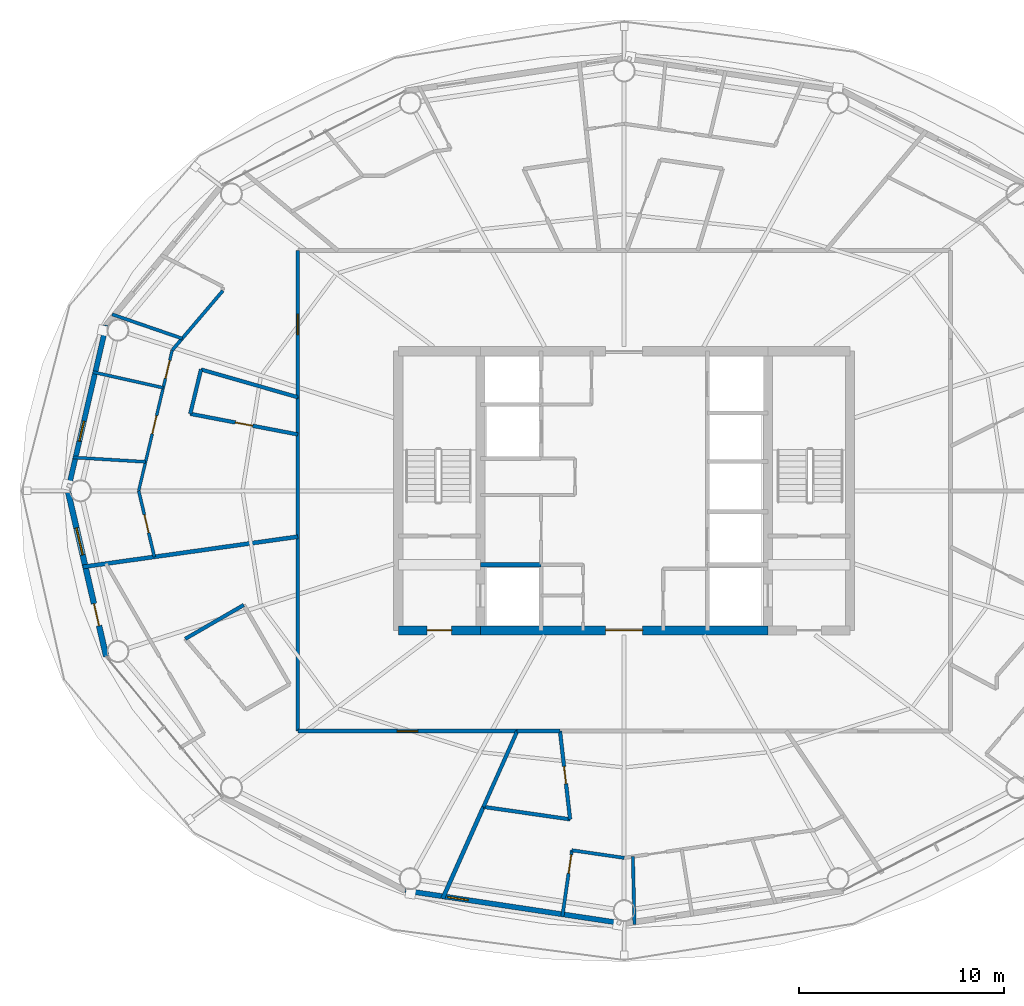
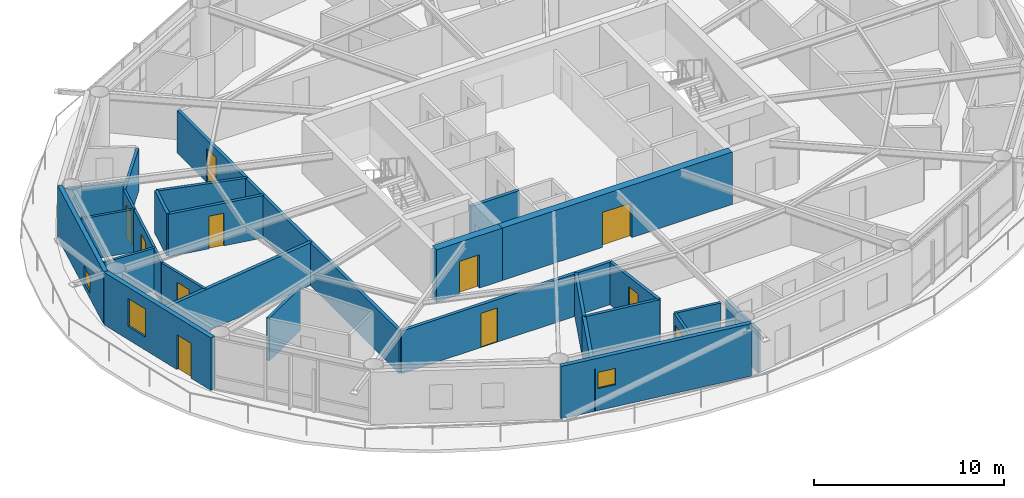
# One storey, part 21 of 29: 28 walls, 11 doors, 3 windows, 14 openings.
"""IFC4 building model written with IfcOpenShell, lengths in metres."""

from ifc_helpers import new_model, si_unit, direction, frame, frame_2d, origin, place, context, subcontext, project, spatial, rectangle, extrude, material, layer, layer_set, type_object, element, fill, save


model = new_model("IFC4")

# Units and contexts
model_context = context("Model", 3, precision=1e-05, world=origin(), true_north=direction((0.0, 1.0)))
body_context = subcontext(model_context, "Body", "Model", "MODEL_VIEW")
ifc_project = project(units=[si_unit("LENGTHUNIT", "METRE"), si_unit("AREAUNIT", "SQUARE_METRE"), si_unit("VOLUMEUNIT", "CUBIC_METRE"), si_unit("PLANEANGLEUNIT", "RADIAN"), si_unit("MASSUNIT", "GRAM", prefix="KILO")], contexts=[model_context])

# Site, building, storey
site_placement = place(None, origin())
site = spatial("IfcSite", under=ifc_project, at=site_placement, CompositionType="ELEMENT")
building_placement = place(site_placement, origin())
building = spatial("IfcBuilding", under=site, at=building_placement, Name="Sarneth Arch Tower", CompositionType="ELEMENT")
storey_placement = place(building_placement, frame((0.0, 0.0, 175.800048828125)))
storey = spatial("IfcBuildingStorey", under=building, at=storey_placement, Name="L44", CompositionType="ELEMENT", Elevation=175.800048828125)

# Wall, opening, door
ifc_material_1 = material(Name="Concrete C50/60", Category="concrete")
ifc_layer_1 = layer(ifc_material_1, 0.449951171875)
ifc_layer_set_1 = layer_set([ifc_layer_1], Name="Concrete C50/60")
wall_type_1 = type_object("IfcWallType", Name="WALL-CORE-450", PredefinedType="SHEAR", material=ifc_layer_set_1)
wall_1_placement = place(storey_placement, frame((37.0, 35.199951171875, 0.0), z_axis=(0.0, 0.0, 1.0), x_axis=(1.0, 0.0, 0.0)))
wall_1 = element("IfcWall", 1, at=wall_1_placement, inside=storey, type_object=wall_type_1, Name="L44 Core shear wall S-W", PredefinedType="SHEAR", context=body_context, shape_type="SweptSolid", body=[
    extrude(rectangle(XDim=4.0, YDim=0.449951171875, at=frame_2d((2.0, 0.0))), origin(), (0.0, 0.0, 1.0), 3.3798828125),
])
opening_1_placement = place(wall_1_placement, frame((1.39990234375, 0.0, 0.0)))
opening_1 = element("IfcOpeningElement", 2, at=opening_1_placement, cuts=wall_1, Name="Opening FD-02", PredefinedType="OPENING", context=body_context, shape_type="SweptSolid", body=[
    extrude(rectangle(XDim=1.199951171875, YDim=2.14990234375, at=frame_2d((0.60009765625, 1.074951171875))), frame((0.0, 0.23486328125, 0.0), z_axis=(0.0, -1.0, 0.0), x_axis=(1.0, 0.0, 0.0)), (0.0, 0.0, 1.0), 0.469970703125),
])
ifc_material_2 = material(Name="Galvanised Steel S275 fire door set", Category="steel")
door_type_1 = type_object("IfcDoorType", Name="DR-FD90-1200", OperationType="SINGLE_SWING_LEFT", PredefinedType="DOOR", material=ifc_material_2)
door_1_placement = place(opening_1_placement, origin())
door_1 = element("IfcDoor", 3, at=door_1_placement, inside=storey, type_object=door_type_1, Name="L44 Firefighting lobby 1 exit door", OperationType="SINGLE_SWING_LEFT", OverallHeight=2.14990234375, OverallWidth=1.199951171875, PredefinedType="DOOR", context=body_context, shape_type="SweptSolid", body=[
    extrude(rectangle(XDim=1.199951171875, YDim=2.14990234375, at=frame_2d((0.60009765625, 1.074951171875))), frame((0.0, 0.02490234375, 0.0), z_axis=(0.0, -1.0, 0.0), x_axis=(1.0, 0.0, 0.0)), (0.0, 0.0, 1.0), 0.050048828125),
])
fill(opening_1, door_1)

wall_2_placement = place(storey_placement, frame((41.0, 35.199951171875, 0.0), z_axis=(0.0, 0.0, 1.0), x_axis=(1.0, 0.0, 0.0)))
wall_2 = element("IfcWall", 4, at=wall_2_placement, inside=storey, type_object=wall_type_1, Name="L44 Core shear wall S-M", PredefinedType="SHEAR", context=body_context, shape_type="SweptSolid", body=[
    extrude(rectangle(XDim=14.0, YDim=0.449951171875, at=frame_2d((7.0, 0.0))), origin(), (0.0, 0.0, 1.0), 3.3798828125),
])
opening_2_placement = place(wall_2_placement, frame((6.10009765625, 0.0, 0.0)))
opening_2 = element("IfcOpeningElement", 5, at=opening_2_placement, cuts=wall_2, Name="Opening FD-01", PredefinedType="OPENING", context=body_context, shape_type="SweptSolid", body=[
    extrude(rectangle(XDim=1.800048828125, YDim=2.25, at=frame_2d((0.89990234375, 1.125))), frame((0.0, 0.23486328125, 0.0), z_axis=(0.0, -1.0, 0.0), x_axis=(1.0, 0.0, 0.0)), (0.0, 0.0, 1.0), 0.469970703125),
])
ifc_material_3 = material(Name="Galvanised Steel S275 fire door set", Category="steel")
door_type_2 = type_object("IfcDoorType", Name="DR-FD90-1800", OperationType="DOUBLE_DOOR_SINGLE_SWING", PredefinedType="DOOR", material=ifc_material_3)
door_2_placement = place(opening_2_placement, origin())
door_2 = element("IfcDoor", 6, at=door_2_placement, inside=storey, type_object=door_type_2, Name="L44 Central lift lobby south door", OperationType="DOUBLE_DOOR_SINGLE_SWING", OverallHeight=2.25, OverallWidth=1.800048828125, PredefinedType="DOOR", context=body_context, shape_type="SweptSolid", body=[
    extrude(rectangle(XDim=1.800048828125, YDim=2.25, at=frame_2d((0.89990234375, 1.125))), frame((0.0, 0.02490234375, 0.0), z_axis=(0.0, -1.0, 0.0), x_axis=(1.0, 0.0, 0.0)), (0.0, 0.0, 1.0), 0.050048828125),
])
fill(opening_2, door_2)

ifc_material_4 = material(Name="Double steel-stud corridor fire wall", Category="steel")
ifc_layer_2 = layer(ifc_material_4, 0.18994140625)
ifc_layer_set_2 = layer_set([ifc_layer_2], Name="Double steel-stud corridor fire wall")
wall_type_2 = type_object("IfcWallType", Name="WALL-CORR-190", PredefinedType="PARTITIONING", material=ifc_layer_set_2)
wall_3_placement = place(storey_placement, frame((32.10009765625, 30.300048828125, 0.0), z_axis=(0.0, 0.0, 1.0), x_axis=(1.0, 0.0, 0.0)))
wall_3 = element("IfcWall", 7, at=wall_3_placement, inside=storey, type_object=wall_type_2, Name="L44 Interior partition W-L44-TP-014", PredefinedType="PARTITIONING", context=body_context, shape_type="SweptSolid", body=[
    extrude(rectangle(XDim=10.690673828125, YDim=0.18994140625, at=frame_2d((5.34521484375, 0.0))), origin(), (0.0, 0.0, 1.0), 2.739990234375),
])
opening_3_placement = place(wall_3_placement, frame((4.845458984375, 0.0, 0.0)))
opening_3 = element("IfcOpeningElement", 8, at=opening_3_placement, cuts=wall_3, Name="Opening FD-08", PredefinedType="OPENING", context=body_context, shape_type="SweptSolid", body=[
    extrude(rectangle(XDim=1.0, YDim=2.199951171875, at=frame_2d((0.5, 1.10009765625))), frame((0.0, 0.10498046875, 0.0), z_axis=(0.0, -1.0, 0.0), x_axis=(1.0, 0.0, 0.0)), (0.0, 0.0, 1.0), 0.2099609375),
])
ifc_material_5 = material(Name="Hardwood timber acoustic fire door", Category="wood")
door_type_3 = type_object("IfcDoorType", Name="DR-FD60-1000", OperationType="SINGLE_SWING_LEFT", PredefinedType="DOOR", material=ifc_material_5)
door_3_placement = place(opening_3_placement, origin())
door_3 = element("IfcDoor", 9, at=door_3_placement, inside=storey, type_object=door_type_3, Name="L44 Interior door DR-L44-U5-ENT", OperationType="SINGLE_SWING_LEFT", OverallHeight=2.199951171875, OverallWidth=1.0, PredefinedType="DOOR", context=body_context, shape_type="SweptSolid", body=[
    extrude(rectangle(XDim=1.0, YDim=2.199951171875, at=frame_2d((0.5, 1.10009765625))), frame((0.0, 0.02490234375, 0.0), z_axis=(0.0, -1.0, 0.0), x_axis=(1.0, 0.0, 0.0)), (0.0, 0.0, 1.0), 0.050048828125),
])
fill(opening_3, door_3)

# Wall
wall_4_placement = place(storey_placement, frame((32.10009765625, 46.592529296875, 0.0), z_axis=(0.0, 0.0, 1.0), x_axis=(0.0, -1.0, 0.0)))
element("IfcWall", 10, at=wall_4_placement, inside=storey, type_object=wall_type_2, Name="L44 Interior partition W-L44-TP-013", PredefinedType="PARTITIONING", context=body_context, shape_type="SweptSolid", body=[
    extrude(rectangle(XDim=16.29248046875, YDim=0.18994140625, at=frame_2d((8.146240234375, 0.0))), origin(), (0.0, 0.0, 1.0), 2.739990234375),
])

# Wall, opening, door
wall_5_placement = place(storey_placement, frame((32.10009765625, 46.52587890625, 0.0), z_axis=(0.0, 0.0, 1.0), x_axis=(0.0, 1.0, 0.0)))
wall_5 = element("IfcWall", 11, at=wall_5_placement, inside=storey, type_object=wall_type_2, Name="L44 Interior partition W-L44-TP-010", PredefinedType="PARTITIONING", context=body_context, shape_type="SweptSolid", body=[
    extrude(rectangle(XDim=7.174072265625, YDim=0.18994140625, at=frame_2d((3.5869140625, 0.0))), origin(), (0.0, 0.0, 1.0), 2.739990234375),
])
opening_4_placement = place(wall_5_placement, frame((3.0869140625, 0.0, 0.0)))
opening_4 = element("IfcOpeningElement", 12, at=opening_4_placement, cuts=wall_5, Name="Opening FD-08", PredefinedType="OPENING", context=body_context, shape_type="SweptSolid", body=[
    extrude(rectangle(XDim=1.0, YDim=2.199951171875, at=frame_2d((0.5, 1.10009765625))), frame((0.0, 0.10498046875, 0.0), z_axis=(0.0, -1.0, 0.0), x_axis=(1.0, 0.0, 0.0)), (0.0, 0.0, 1.0), 0.2099609375),
])
door_4_placement = place(opening_4_placement, origin())
door_4 = element("IfcDoor", 13, at=door_4_placement, inside=storey, type_object=door_type_3, Name="L44 Interior door DR-L44-U4-ENT", OperationType="SINGLE_SWING_LEFT", OverallHeight=2.199951171875, OverallWidth=1.0, PredefinedType="DOOR", context=body_context, shape_type="SweptSolid", body=[
    extrude(rectangle(XDim=1.0, YDim=2.199951171875, at=frame_2d((0.5, 1.10009765625))), frame((0.0, 0.02490234375, 0.0), z_axis=(0.0, -1.0, 0.0), x_axis=(1.0, 0.0, 0.0)), (0.0, 0.0, 1.0), 0.050048828125),
])
fill(opening_4, door_4)

# Wall, opening, window
ifc_material_6 = material(Name="Extruded terracotta rainscreen on Concrete C40/50 backing", Category="masonry")
ifc_layer_3 = layer(ifc_material_6, 0.25)
ifc_layer_set_3 = layer_set([ifc_layer_3], Name="Extruded terracotta rainscreen on Concrete C40/50 backing")
wall_type_3 = type_object("IfcWallType", Name="WALL-EXT-SPAND-250", PredefinedType="SOLIDWALL", material=ifc_layer_set_3)
wall_6_placement = place(storey_placement, frame((22.767578125, 50.06689453125, 0.0), z_axis=(0.0, 0.0, 1.0), x_axis=(-0.225473184558, -0.974249374157, 0.0)))
wall_6 = element("IfcWall", 14, at=wall_6_placement, inside=storey, type_object=wall_type_3, Name="L44 Terracotta perimeter wall 08", PredefinedType="SOLIDWALL", context=body_context, shape_type="SweptSolid", body=[
    extrude(rectangle(XDim=8.280029296875, YDim=0.25, at=frame_2d((4.14013671875, 0.0))), origin(), (0.0, 0.0, 1.0), 3.3798828125),
])
opening_5_placement = place(wall_6_placement, frame((4.801513671875, 0.0, 0.35009765625)))
opening_5 = element("IfcOpeningElement", 15, at=opening_5_placement, cuts=wall_6, Name="Opening W-14", PredefinedType="OPENING", context=body_context, shape_type="SweptSolid", body=[
    extrude(rectangle(XDim=1.0, YDim=1.050048828125, at=frame_2d((0.5, 0.52490234375))), frame((0.0, 0.135009765625, 0.0), z_axis=(0.0, -1.0, 0.0), x_axis=(1.0, 0.0, 0.0)), (0.0, 0.0, 1.0), 0.27001953125),
])
ifc_material_7 = material(Name="Thermally broken Aluminium 6063-T6 and low-e laminated IGU", Category="aluminium")
window_type_1 = type_object("IfcWindowType", Name="WIN-TWR-1000x1050", PartitioningType="SINGLE_PANEL", PredefinedType="WINDOW", material=ifc_material_7)
window_1_placement = place(opening_5_placement, origin())
window_1 = element("IfcWindow", 16, at=window_1_placement, inside=storey, type_object=window_type_1, Name="L44 Dwelling bedroom window 03", OverallHeight=1.050048828125, OverallWidth=1.0, PartitioningType="SINGLE_PANEL", PredefinedType="WINDOW", context=body_context, shape_type="SweptSolid", body=[
    extrude(rectangle(XDim=1.0, YDim=1.050048828125, at=frame_2d((0.5, 0.52490234375))), frame((0.0, 0.030029296875, 0.0), z_axis=(0.0, -1.0, 0.0), x_axis=(1.0, 0.0, 0.0)), (0.0, 0.0, 1.0), 0.06005859375),
])
fill(opening_5, window_1)

wall_7_placement = place(storey_placement, frame((37.337158203125, 22.524658203125, 0.0), z_axis=(0.0, 0.0, 1.0), x_axis=(0.988863993413, -0.148822049884, 0.0)))
wall_7 = element("IfcWall", 17, at=wall_7_placement, inside=storey, type_object=wall_type_3, Name="L44 Terracotta perimeter wall 12", PredefinedType="SOLIDWALL", context=body_context, shape_type="SweptSolid", body=[
    extrude(rectangle(XDim=10.782958984375, YDim=0.25, at=frame_2d((5.3916015625, 0.0))), origin(), (0.0, 0.0, 1.0), 3.3798828125),
])
opening_6_placement = place(wall_7_placement, frame((2.093994140625, 0.0, 1.419921875)))
opening_6 = element("IfcOpeningElement", 18, at=opening_6_placement, cuts=wall_7, Name="Opening W-14", PredefinedType="OPENING", context=body_context, shape_type="SweptSolid", body=[
    extrude(rectangle(XDim=1.0, YDim=1.050048828125, at=frame_2d((0.5, 0.52490234375))), frame((0.0, 0.135009765625, 0.0), z_axis=(0.0, -1.0, 0.0), x_axis=(1.0, 0.0, 0.0)), (0.0, 0.0, 1.0), 0.27001953125),
])
window_2_placement = place(opening_6_placement, origin())
window_2 = element("IfcWindow", 19, at=window_2_placement, inside=storey, type_object=window_type_1, Name="L44 Dwelling bedroom window 04", OverallHeight=1.050048828125, OverallWidth=1.0, PartitioningType="SINGLE_PANEL", PredefinedType="WINDOW", context=body_context, shape_type="SweptSolid", body=[
    extrude(rectangle(XDim=1.0, YDim=1.050048828125, at=frame_2d((0.5, 0.52490234375))), frame((0.0, 0.030029296875, 0.0), z_axis=(0.0, -1.0, 0.0), x_axis=(1.0, 0.0, 0.0)), (0.0, 0.0, 1.0), 0.06005859375),
])
fill(opening_6, window_2)

# Wall, openings, door, window
ifc_material_8 = material(Name="Extruded terracotta rainscreen on Concrete C40/50 backing", Category="masonry")
ifc_layer_4 = layer(ifc_material_8, 0.280029296875)
ifc_layer_set_4 = layer_set([ifc_layer_4], Name="Extruded terracotta rainscreen on Concrete C40/50 backing")
wall_type_4 = type_object("IfcWallType", Name="WALL-EXT-TERRA-280", PredefinedType="SOLIDWALL", material=ifc_layer_set_4)
wall_8_placement = place(storey_placement, frame((20.900634765625, 42.0, 0.0), z_axis=(0.0, 0.0, 1.0), x_axis=(0.225473184558, -0.974249374157, 0.0)))
wall_8 = element("IfcWall", 20, at=wall_8_placement, inside=storey, type_object=wall_type_4, Name="L44 Terracotta perimeter wall 09", PredefinedType="SOLIDWALL", context=body_context, shape_type="SweptSolid", body=[
    extrude(rectangle(XDim=8.280029296875, YDim=0.280029296875, at=frame_2d((4.14013671875, 0.0))), origin(), (0.0, 0.0, 1.0), 3.3798828125),
])
opening_7_placement = place(wall_8_placement, frame((1.856689453125, 0.0, 0.85009765625)))
opening_7 = element("IfcOpeningElement", 21, at=opening_7_placement, cuts=wall_8, Name="Opening W-08", PredefinedType="OPENING", context=body_context, shape_type="SweptSolid", body=[
    extrude(rectangle(XDim=1.35009765625, YDim=1.800048828125, at=frame_2d((0.675048828125, 0.89990234375))), frame((0.0, 0.14990234375, 0.0), z_axis=(0.0, -1.0, 0.0), x_axis=(1.0, 0.0, 0.0)), (0.0, 0.0, 1.0), 0.300048828125),
])
opening_8_placement = place(wall_8_placement, frame((5.643798828125, 0.0, 0.0)))
opening_8 = element("IfcOpeningElement", 22, at=opening_8_placement, cuts=wall_8, Name="Opening BD-3", PredefinedType="OPENING", context=body_context, shape_type="SweptSolid", body=[
    extrude(rectangle(XDim=1.10009765625, YDim=2.25, at=frame_2d((0.550048828125, 1.125))), frame((0.0, 0.14990234375, 0.0), z_axis=(0.0, -1.0, 0.0), x_axis=(1.0, 0.0, 0.0)), (0.0, 0.0, 1.0), 0.300048828125),
])
ifc_material_9 = material(Name="Thermally broken Aluminium 6063-T6 and laminated safety glass", Category="aluminium")
door_type_4 = type_object("IfcDoorType", Name="DR-BALC-GLZ-1100", OperationType="SINGLE_SWING_LEFT", PredefinedType="DOOR", material=ifc_material_9)
door_5_placement = place(opening_8_placement, origin())
door_5 = element("IfcDoor", 23, at=door_5_placement, inside=storey, type_object=door_type_4, Name="L44 Balcony glazed door 09", OperationType="SINGLE_SWING_LEFT", OverallHeight=2.25, OverallWidth=1.10009765625, PredefinedType="DOOR", context=body_context, shape_type="SweptSolid", body=[
    extrude(rectangle(XDim=1.10009765625, YDim=2.25, at=frame_2d((0.550048828125, 1.125))), frame((0.0, 0.02490234375, 0.0), z_axis=(0.0, -1.0, 0.0), x_axis=(1.0, 0.0, 0.0)), (0.0, 0.0, 1.0), 0.050048828125),
])
fill(opening_8, door_5)
ifc_material_10 = material(Name="Thermally broken Aluminium 6063-T6 and low-e laminated IGU", Category="aluminium")
window_type_2 = type_object("IfcWindowType", Name="WIN-TWR-1350x1800", PartitioningType="SINGLE_PANEL", PredefinedType="WINDOW", material=ifc_material_10)
window_3_placement = place(opening_7_placement, origin())
window_3 = element("IfcWindow", 24, at=window_3_placement, inside=storey, type_object=window_type_2, Name="L44 Exterior window 09A", OverallHeight=1.800048828125, OverallWidth=1.35009765625, PartitioningType="SINGLE_PANEL", PredefinedType="WINDOW", context=body_context, shape_type="SweptSolid", body=[
    extrude(rectangle(XDim=1.35009765625, YDim=1.800048828125, at=frame_2d((0.675048828125, 0.89990234375))), frame((0.0, 0.030029296875, 0.0), z_axis=(0.0, -1.0, 0.0), x_axis=(1.0, 0.0, 0.0)), (0.0, 0.0, 1.0), 0.06005859375),
])
fill(opening_7, window_3)

# Wall, openings, doors
ifc_material_11 = material(Name="Apartment internal stud partition", Category="gypsum")
ifc_layer_5 = layer(ifc_material_11, 0.139892578125)
ifc_layer_set_5 = layer_set([ifc_layer_5], Name="Apartment internal stud partition")
wall_type_5 = type_object("IfcWallType", Name="WALL-PART-140", PredefinedType="PARTITIONING", material=ifc_layer_set_5)
wall_9_placement = place(storey_placement, frame((24.351318359375, 42.0, 0.0), z_axis=(0.0, 0.0, 1.0), x_axis=(0.231658068135, 0.972797275627, 0.0)))
wall_9 = element("IfcWall", 25, at=wall_9_placement, inside=storey, type_object=wall_type_5, Name="L44 Interior partition W-L44-TP-068", PredefinedType="PARTITIONING", context=body_context, shape_type="SweptSolid", body=[
    extrude(rectangle(XDim=7.03369140625, YDim=0.139892578125, at=frame_2d((3.516845703125, 0.0))), origin(), (0.0, 0.0, 1.0), 2.739990234375),
])
opening_9_placement = place(wall_9_placement, frame((2.85498046875, 0.0, 0.0)))
opening_9 = element("IfcOpeningElement", 26, at=opening_9_placement, cuts=wall_9, Name="Opening ID-01", PredefinedType="OPENING", context=body_context, shape_type="SweptSolid", body=[
    extrude(rectangle(XDim=0.89990234375, YDim=2.10009765625, at=frame_2d((0.449951171875, 1.050048828125))), frame((0.0, 0.079833984375, 0.0), z_axis=(0.0, -1.0, 0.0), x_axis=(1.0, 0.0, 0.0)), (0.0, 0.0, 1.0), 0.159912109375),
])
opening_10_placement = place(wall_9_placement, frame((5.63037109375, 0.0, 0.0)))
opening_10 = element("IfcOpeningElement", 27, at=opening_10_placement, cuts=wall_9, Name="Opening ID-01", PredefinedType="OPENING", context=body_context, shape_type="SweptSolid", body=[
    extrude(rectangle(XDim=0.89990234375, YDim=2.10009765625, at=frame_2d((0.449951171875, 1.050048828125))), frame((0.0, 0.079833984375, 0.0), z_axis=(0.0, -1.0, 0.0), x_axis=(1.0, 0.0, 0.0)), (0.0, 0.0, 1.0), 0.159912109375),
])
ifc_material_12 = material(Name="Engineered hardwood flush door", Category="wood")
door_type_5 = type_object("IfcDoorType", Name="DR-INT-900", OperationType="SINGLE_SWING_LEFT", PredefinedType="DOOR", material=ifc_material_12)
door_6_placement = place(opening_9_placement, origin())
door_6 = element("IfcDoor", 28, at=door_6_placement, inside=storey, type_object=door_type_5, Name="L44 Interior door DR-L44-U4-BED1", OperationType="SINGLE_SWING_RIGHT", OverallHeight=2.10009765625, OverallWidth=0.89990234375, PredefinedType="DOOR", context=body_context, shape_type="SweptSolid", body=[
    extrude(rectangle(XDim=0.89990234375, YDim=2.10009765625, at=frame_2d((0.449951171875, 1.050048828125))), frame((0.0, 0.02490234375, 0.0), z_axis=(0.0, -1.0, 0.0), x_axis=(1.0, 0.0, 0.0)), (0.0, 0.0, 1.0), 0.050048828125),
])
fill(opening_9, door_6)
door_7_placement = place(opening_10_placement, origin())
door_7 = element("IfcDoor", 29, at=door_7_placement, inside=storey, type_object=door_type_5, Name="L44 Interior door DR-L44-U4-STD", OperationType="SINGLE_SWING_RIGHT", OverallHeight=2.10009765625, OverallWidth=0.89990234375, PredefinedType="DOOR", context=body_context, shape_type="SweptSolid", body=[
    extrude(rectangle(XDim=0.89990234375, YDim=2.10009765625, at=frame_2d((0.449951171875, 1.050048828125))), frame((0.0, 0.02490234375, 0.0), z_axis=(0.0, -1.0, 0.0), x_axis=(1.0, 0.0, 0.0)), (0.0, 0.0, 1.0), 0.050048828125),
])
fill(opening_10, door_7)

# Walls
ifc_material_13 = material(Name="Acoustic gypsum stud partition", Category="gypsum")
ifc_layer_6 = layer(ifc_material_13, 0.14990234375)
ifc_layer_set_6 = layer_set([ifc_layer_6], Name="Acoustic gypsum stud partition")
wall_type_6 = type_object("IfcWallType", Name="WALL-PART-150", PredefinedType="PARTITIONING", material=ifc_layer_set_6)
wall_10_placement = place(storey_placement, frame((21.155517578125, 43.625732421875, 0.0), z_axis=(0.0, 0.0, 1.0), x_axis=(0.998171777701, -0.060440898408, 0.0)))
element("IfcWall", 30, at=wall_10_placement, inside=storey, type_object=wall_type_6, Name="L44 Interior partition W-L44-TP-074", PredefinedType="PARTITIONING", context=body_context, shape_type="SweptSolid", body=[
    extrude(rectangle(XDim=3.538330078125, YDim=0.14990234375, at=frame_2d((1.76904296875, 0.0))), origin(), (0.0, 0.0, 1.0), 2.739990234375),
])
wall_11_placement = place(storey_placement, frame((25.54638671875, 47.018798828125, 0.0), z_axis=(0.0, 0.0, 1.0), x_axis=(-0.975921546644, 0.218121834754, 0.0)))
element("IfcWall", 31, at=wall_11_placement, inside=storey, type_object=wall_type_6, Name="L44 Interior partition W-L44-TP-073", PredefinedType="PARTITIONING", context=body_context, shape_type="SweptSolid", body=[
    extrude(rectangle(XDim=3.5146484375, YDim=0.14990234375, at=frame_2d((1.75732421875, 0.0))), origin(), (0.0, 0.0, 1.0), 2.739990234375),
])

# Wall, opening, door
wall_12_placement = place(storey_placement, frame((24.351318359375, 42.0, 0.0), z_axis=(0.0, 0.0, 1.0), x_axis=(0.231590575549, -0.972813345569, 0.0)))
wall_12 = element("IfcWall", 32, at=wall_12_placement, inside=storey, type_object=wall_type_6, Name="L44 Interior partition W-L44-TP-070", PredefinedType="PARTITIONING", context=body_context, shape_type="SweptSolid", body=[
    extrude(rectangle(XDim=3.305908203125, YDim=0.14990234375, at=frame_2d((1.65283203125, 0.0))), origin(), (0.0, 0.0, 1.0), 2.739990234375),
])
opening_11_placement = place(wall_12_placement, frame((1.202880859375, 0.0, 0.0)))
opening_11 = element("IfcOpeningElement", 33, at=opening_11_placement, cuts=wall_12, Name="Opening ID-01", PredefinedType="OPENING", context=body_context, shape_type="SweptSolid", body=[
    extrude(rectangle(XDim=0.89990234375, YDim=2.10009765625, at=frame_2d((0.449951171875, 1.050048828125))), frame((0.0, 0.0849609375, 0.0), z_axis=(0.0, -1.0, 0.0), x_axis=(1.0, 0.0, 0.0)), (0.0, 0.0, 1.0), 0.169921875),
])
door_8_placement = place(opening_11_placement, origin())
door_8 = element("IfcDoor", 34, at=door_8_placement, inside=storey, type_object=door_type_5, Name="L44 Interior door DR-L44-U4-BED2", OperationType="SINGLE_SWING_LEFT", OverallHeight=2.10009765625, OverallWidth=0.89990234375, PredefinedType="DOOR", context=body_context, shape_type="SweptSolid", body=[
    extrude(rectangle(XDim=0.89990234375, YDim=2.10009765625, at=frame_2d((0.449951171875, 1.050048828125))), frame((0.0, 0.02490234375, 0.0), z_axis=(0.0, -1.0, 0.0), x_axis=(1.0, 0.0, 0.0)), (0.0, 0.0, 1.0), 0.050048828125),
])
fill(opening_11, door_8)

# Walls
ifc_material_14 = material(Name="Kitchen wet service chase wall", Category="gypsum")
ifc_layer_7 = layer(ifc_material_14, 0.159912109375)
ifc_layer_set_7 = layer_set([ifc_layer_7], Name="Kitchen wet service chase wall")
wall_type_7 = type_object("IfcWallType", Name="WALL-PLUMB-160", PredefinedType="PLUMBINGWALL", material=ifc_layer_set_7)
wall_13_placement = place(storey_placement, frame((26.470703125, 49.418212890625, 0.0), z_axis=(0.0, 0.0, 1.0), x_axis=(-0.945442677411, 0.325788495392, 0.0)))
element("IfcWall", 35, at=wall_13_placement, inside=storey, type_object=wall_type_7, Name="L44 Interior partition W-L44-TP-072", PredefinedType="PLUMBINGWALL", context=body_context, shape_type="SweptSolid", body=[
    extrude(rectangle(XDim=3.60986328125, YDim=0.159912109375, at=frame_2d((1.804931640625, 0.0))), origin(), (0.0, 0.0, 1.0), 2.739990234375),
])
wall_14_placement = place(storey_placement, frame((48.423095703125, 24.181884765625, 0.0), z_axis=(0.0, 0.0, 1.0), x_axis=(0.023765895275, -0.999717551222, 0.0)))
element("IfcWall", 36, at=wall_14_placement, inside=storey, type_object=wall_type_7, Name="L44 Interior partition W-L44-TP-095", PredefinedType="PLUMBINGWALL", context=body_context, shape_type="SweptSolid", body=[
    extrude(rectangle(XDim=3.307861328125, YDim=0.159912109375, at=frame_2d((1.65380859375, 0.0))), origin(), (0.0, 0.0, 1.0), 2.739990234375),
])

# Wall, opening, door
wall_15_placement = place(storey_placement, frame((44.9853515625, 21.252197265625, 0.0), z_axis=(0.0, 0.0, 1.0), x_axis=(0.14376989574, 0.989611144379, 0.0)))
wall_15 = element("IfcWall", 37, at=wall_15_placement, inside=storey, type_object=wall_type_7, Name="L44 Interior partition W-L44-TP-085", PredefinedType="PLUMBINGWALL", context=body_context, shape_type="SweptSolid", body=[
    extrude(rectangle(XDim=3.27392578125, YDim=0.159912109375, at=frame_2d((1.636962890625, 0.0))), origin(), (0.0, 0.0, 1.0), 2.739990234375),
])
opening_12_placement = place(wall_15_placement, frame((2.14697265625, 0.0, 0.0)))
opening_12 = element("IfcOpeningElement", 38, at=opening_12_placement, cuts=wall_15, Name="Opening ID-01", PredefinedType="OPENING", context=body_context, shape_type="SweptSolid", body=[
    extrude(rectangle(XDim=0.89990234375, YDim=2.10009765625, at=frame_2d((0.449951171875, 1.050048828125))), frame((0.0, 0.08984375, 0.0), z_axis=(0.0, -1.0, 0.0), x_axis=(1.0, 0.0, 0.0)), (0.0, 0.0, 1.0), 0.179931640625),
])
door_9_placement = place(opening_12_placement, origin())
door_9 = element("IfcDoor", 39, at=door_9_placement, inside=storey, type_object=door_type_5, Name="L44 Interior door DR-L44-U6-KIT", OperationType="SINGLE_SWING_LEFT", OverallHeight=2.10009765625, OverallWidth=0.89990234375, PredefinedType="DOOR", context=body_context, shape_type="SweptSolid", body=[
    extrude(rectangle(XDim=0.89990234375, YDim=2.10009765625, at=frame_2d((0.449951171875, 1.050048828125))), frame((0.0, 0.02490234375, 0.0), z_axis=(0.0, -1.0, 0.0), x_axis=(1.0, 0.0, 0.0)), (0.0, 0.0, 1.0), 0.050048828125),
])
fill(opening_12, door_9)

# Walls
wall_16_placement = place(storey_placement, frame((25.980712890625, 48.84228515625, 0.0), z_axis=(0.0, 0.0, 1.0), x_axis=(0.648022171798, 0.761621470849, 0.0)))
element("IfcWall", 40, at=wall_16_placement, inside=storey, type_object=wall_type_7, Name="L44 Interior partition W-L44-TP-062", PredefinedType="PLUMBINGWALL", context=body_context, shape_type="SweptSolid", body=[
    extrude(rectangle(XDim=3.810302734375, YDim=0.159912109375, at=frame_2d((1.9052734375, 0.0))), origin(), (0.0, 0.0, 1.0), 2.739990234375),
])
wall_17_placement = place(storey_placement, frame((45.4560546875, 24.4921875, 0.0), z_axis=(0.0, 0.0, 1.0), x_axis=(0.989473006689, -0.144717549155, 0.0)))
element("IfcWall", 41, at=wall_17_placement, inside=storey, type_object=wall_type_7, Name="L44 Interior partition W-L44-TP-086", PredefinedType="PLUMBINGWALL", context=body_context, shape_type="SweptSolid", body=[
    extrude(rectangle(XDim=2.571044921875, YDim=0.159912109375, at=frame_2d((1.28564453125, 0.0))), origin(), (0.0, 0.0, 1.0), 2.739990234375),
])

# Wall, opening, door
ifc_material_15 = material(Name="Moisture-resistant plumbing chase wall", Category="gypsum")
ifc_layer_8 = layer(ifc_material_15, 0.179931640625)
ifc_layer_set_8 = layer_set([ifc_layer_8], Name="Moisture-resistant plumbing chase wall")
wall_type_8 = type_object("IfcWallType", Name="WALL-PLUMB-180", PredefinedType="PLUMBINGWALL", material=ifc_layer_set_8)
wall_18_placement = place(storey_placement, frame((32.10009765625, 44.746337890625, 0.0), z_axis=(0.0, 0.0, 1.0), x_axis=(-0.982104947805, 0.188334467098, 0.0)))
wall_18 = element("IfcWall", 42, at=wall_18_placement, inside=storey, type_object=wall_type_8, Name="L44 Interior partition W-L44-TP-065", PredefinedType="PLUMBINGWALL", context=body_context, shape_type="SweptSolid", body=[
    extrude(rectangle(XDim=5.331787109375, YDim=0.179931640625, at=frame_2d((2.666015625, 0.0))), origin(), (0.0, 0.0, 1.0), 2.739990234375),
])
opening_13_placement = place(wall_18_placement, frame((2.24072265625, 0.0, 0.0)))
opening_13 = element("IfcOpeningElement", 43, at=opening_13_placement, cuts=wall_18, Name="Opening ID-02", PredefinedType="OPENING", context=body_context, shape_type="SweptSolid", body=[
    extrude(rectangle(XDim=0.85009765625, YDim=2.10009765625, at=frame_2d((0.425048828125, 1.050048828125))), frame((0.0, 0.099853515625, 0.0), z_axis=(0.0, -1.0, 0.0), x_axis=(1.0, 0.0, 0.0)), (0.0, 0.0, 1.0), 0.199951171875),
])
ifc_material_16 = material(Name="Moisture-resistant bathroom timber door", Category="wood")
door_type_6 = type_object("IfcDoorType", Name="DR-INT-850", OperationType="SINGLE_SWING_RIGHT", PredefinedType="DOOR", material=ifc_material_16)
door_10_placement = place(opening_13_placement, origin())
door_10 = element("IfcDoor", 44, at=door_10_placement, inside=storey, type_object=door_type_6, Name="L44 Interior door DR-L44-U4-BATH", OperationType="SINGLE_SWING_LEFT", OverallHeight=2.10009765625, OverallWidth=0.85009765625, PredefinedType="DOOR", context=body_context, shape_type="SweptSolid", body=[
    extrude(rectangle(XDim=0.85009765625, YDim=2.10009765625, at=frame_2d((0.425048828125, 1.050048828125))), frame((0.0, 0.02490234375, 0.0), z_axis=(0.0, -1.0, 0.0), x_axis=(1.0, 0.0, 0.0)), (0.0, 0.0, 1.0), 0.050048828125),
])
fill(opening_13, door_10)

# Wall
wall_19_placement = place(storey_placement, frame((27.38720703125, 47.91064453125, 0.0), z_axis=(0.0, 0.0, 1.0), x_axis=(0.961266088446, -0.27562203686, 0.0)))
element("IfcWall", 45, at=wall_19_placement, inside=storey, type_object=wall_type_8, Name="L44 Interior partition W-L44-TP-067", PredefinedType="PLUMBINGWALL", context=body_context, shape_type="SweptSolid", body=[
    extrude(rectangle(XDim=4.90283203125, YDim=0.179931640625, at=frame_2d((2.451416015625, 0.0))), origin(), (0.0, 0.0, 1.0), 2.739990234375),
])

# Wall, opening, door
wall_20_placement = place(storey_placement, frame((44.872802734375, 30.300048828125, 0.0), z_axis=(0.0, 0.0, 1.0), x_axis=(0.11390281129, -0.993491897088, 0.0)))
wall_20 = element("IfcWall", 46, at=wall_20_placement, inside=storey, type_object=wall_type_8, Name="L44 Interior partition W-L44-TP-088", PredefinedType="PLUMBINGWALL", context=body_context, shape_type="SweptSolid", body=[
    extrude(rectangle(XDim=4.32958984375, YDim=0.179931640625, at=frame_2d((2.164794921875, 0.0))), origin(), (0.0, 0.0, 1.0), 2.739990234375),
])
opening_14_placement = place(wall_20_placement, frame((1.73974609375, 0.0, 0.0)))
opening_14 = element("IfcOpeningElement", 47, at=opening_14_placement, cuts=wall_20, Name="Opening ID-02", PredefinedType="OPENING", context=body_context, shape_type="SweptSolid", body=[
    extrude(rectangle(XDim=0.85009765625, YDim=2.10009765625, at=frame_2d((0.425048828125, 1.050048828125))), frame((0.0, 0.099853515625, 0.0), z_axis=(0.0, -1.0, 0.0), x_axis=(1.0, 0.0, 0.0)), (0.0, 0.0, 1.0), 0.199951171875),
])
door_11_placement = place(opening_14_placement, origin())
door_11 = element("IfcDoor", 48, at=door_11_placement, inside=storey, type_object=door_type_6, Name="L44 Interior door DR-L44-U6-BATH", OperationType="SINGLE_SWING_RIGHT", OverallHeight=2.10009765625, OverallWidth=0.85009765625, PredefinedType="DOOR", context=body_context, shape_type="SweptSolid", body=[
    extrude(rectangle(XDim=0.85009765625, YDim=2.10009765625, at=frame_2d((0.425048828125, 1.050048828125))), frame((0.0, 0.02490234375, 0.0), z_axis=(0.0, -1.0, 0.0), x_axis=(1.0, 0.0, 0.0)), (0.0, 0.0, 1.0), 0.050048828125),
])
fill(opening_14, door_11)

# Walls
wall_21_placement = place(storey_placement, frame((45.365966796875, 25.99853515625, 0.0), z_axis=(0.0, 0.0, 1.0), x_axis=(-0.98982427769, 0.14229511339, 0.0)))
element("IfcWall", 49, at=wall_21_placement, inside=storey, type_object=wall_type_8, Name="L44 Interior partition W-L44-TP-089", PredefinedType="PLUMBINGWALL", context=body_context, shape_type="SweptSolid", body=[
    extrude(rectangle(XDim=4.263671875, YDim=0.179931640625, at=frame_2d((2.1318359375, 0.0))), origin(), (0.0, 0.0, 1.0), 2.739990234375),
])
wall_22_placement = place(storey_placement, frame((41.145751953125, 26.605224609375, 0.0), z_axis=(0.0, 0.0, 1.0), x_axis=(0.406732062562, 0.913547497005, 0.0)))
element("IfcWall", 50, at=wall_22_placement, inside=storey, type_object=wall_type_8, Name="L44 Interior partition W-L44-TP-084", PredefinedType="PLUMBINGWALL", context=body_context, shape_type="SweptSolid", body=[
    extrude(rectangle(XDim=4.04443359375, YDim=0.179931640625, at=frame_2d((2.022216796875, 0.0))), origin(), (0.0, 0.0, 1.0), 2.739990234375),
])
wall_23_placement = place(storey_placement, frame((29.469482421875, 36.438232421875, 0.0), z_axis=(0.0, 0.0, 1.0), x_axis=(-0.86566653326, -0.500621067469, 0.0)))
element("IfcWall", 51, at=wall_23_placement, inside=storey, type_object=wall_type_8, Name="L44 Interior partition W-L44-TP-079", PredefinedType="PLUMBINGWALL", context=body_context, shape_type="SweptSolid", body=[
    extrude(rectangle(XDim=3.291748046875, YDim=0.179931640625, at=frame_2d((1.64599609375, 0.0))), origin(), (0.0, 0.0, 1.0), 2.739990234375),
])
wall_24_placement = place(storey_placement, frame((26.86376953125, 45.75048828125, 0.0), z_axis=(0.0, 0.0, 1.0), x_axis=(0.235499423966, 0.971874488456, 0.0)))
element("IfcWall", 52, at=wall_24_placement, inside=storey, type_object=wall_type_8, Name="L44 Interior partition W-L44-TP-066", PredefinedType="PLUMBINGWALL", context=body_context, shape_type="SweptSolid", body=[
    extrude(rectangle(XDim=2.22265625, YDim=0.179931640625, at=frame_2d((1.111328125, 0.0))), origin(), (0.0, 0.0, 1.0), 2.739990234375),
])
wall_25_placement = place(storey_placement, frame((42.790771484375, 30.300048828125, 0.0), z_axis=(0.0, 0.0, 1.0), x_axis=(1.0, 0.0, 0.0)))
element("IfcWall", 53, at=wall_25_placement, inside=storey, type_object=wall_type_8, Name="L44 Interior partition W-L44-TP-016", PredefinedType="PLUMBINGWALL", context=body_context, shape_type="SweptSolid", body=[
    extrude(rectangle(XDim=2.08203125, YDim=0.179931640625, at=frame_2d((1.041015625, 0.0))), origin(), (0.0, 0.0, 1.0), 2.739990234375),
])
ifc_material_17 = material(Name="Aerated concrete blockwork C25/30", Category="masonry")
ifc_layer_9 = layer(ifc_material_17, 0.199951171875)
ifc_layer_set_9 = layer_set([ifc_layer_9], Name="Aerated concrete blockwork C25/30")
wall_type_9 = type_object("IfcWallType", Name="WALL-SHAFT-200", PredefinedType="SOLIDWALL", material=ifc_layer_set_9)
wall_26_placement = place(storey_placement, frame((41.0, 38.39990234375, 0.0), z_axis=(0.0, 0.0, 1.0), x_axis=(1.0, 0.0, 0.0)))
element("IfcWall", 54, at=wall_26_placement, inside=storey, type_object=wall_type_9, Name="L44 Interior partition W-L44-FL1-N", PredefinedType="SOLIDWALL", context=body_context, shape_type="SweptSolid", body=[
    extrude(rectangle(XDim=2.949951171875, YDim=0.199951171875, at=frame_2d((1.47509765625, 0.0))), origin(), (0.0, 0.0, 1.0), 2.739990234375),
])
ifc_material_18 = material(Name="Double steel-stud acoustic drywall", Category="steel")
ifc_layer_10 = layer(ifc_material_18, 0.199951171875)
ifc_layer_set_10 = layer_set([ifc_layer_10], Name="Double steel-stud acoustic drywall")
wall_type_10 = type_object("IfcWallType", Name="WALL-UNIT-200", PredefinedType="PARTITIONING", material=ifc_layer_set_10)
wall_27_placement = place(storey_placement, frame((21.635498046875, 38.294677734375, 0.0), z_axis=(0.0, 0.0, 1.0), x_axis=(0.990268074466, 0.139173060229, 0.0)))
element("IfcWall", 55, at=wall_27_placement, inside=storey, type_object=wall_type_10, Name="L44 Interior partition W-L44-TP-071", PredefinedType="PARTITIONING", context=body_context, shape_type="SweptSolid", body=[
    extrude(rectangle(XDim=10.5673828125, YDim=0.199951171875, at=frame_2d((5.28369140625, 0.0))), origin(), (0.0, 0.0, 1.0), 2.739990234375),
])
wall_28_placement = place(storey_placement, frame((39.155029296875, 22.134033203125, 0.0), z_axis=(0.0, 0.0, 1.0), x_axis=(0.406740050792, 0.913543940422, 0.0)))
element("IfcWall", 56, at=wall_28_placement, inside=storey, type_object=wall_type_10, Name="L44 Interior partition W-L44-TP-083", PredefinedType="PARTITIONING", context=body_context, shape_type="SweptSolid", body=[
    extrude(rectangle(XDim=4.894287109375, YDim=0.199951171875, at=frame_2d((2.447265625, 0.0))), origin(), (0.0, 0.0, 1.0), 2.739990234375),
])

save(model, "model.ifc")
